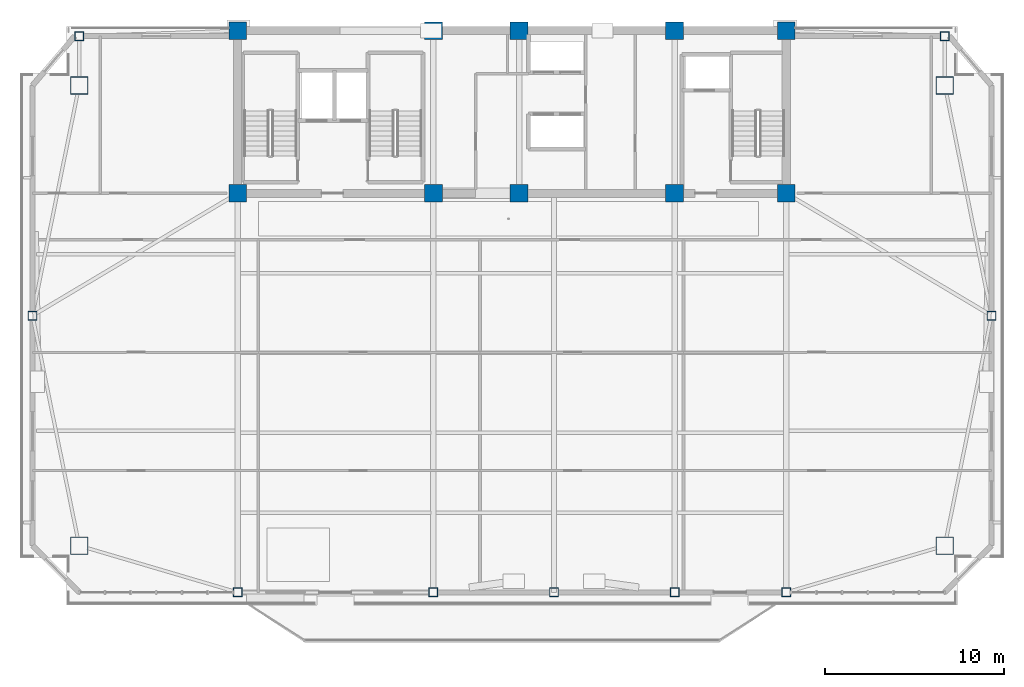
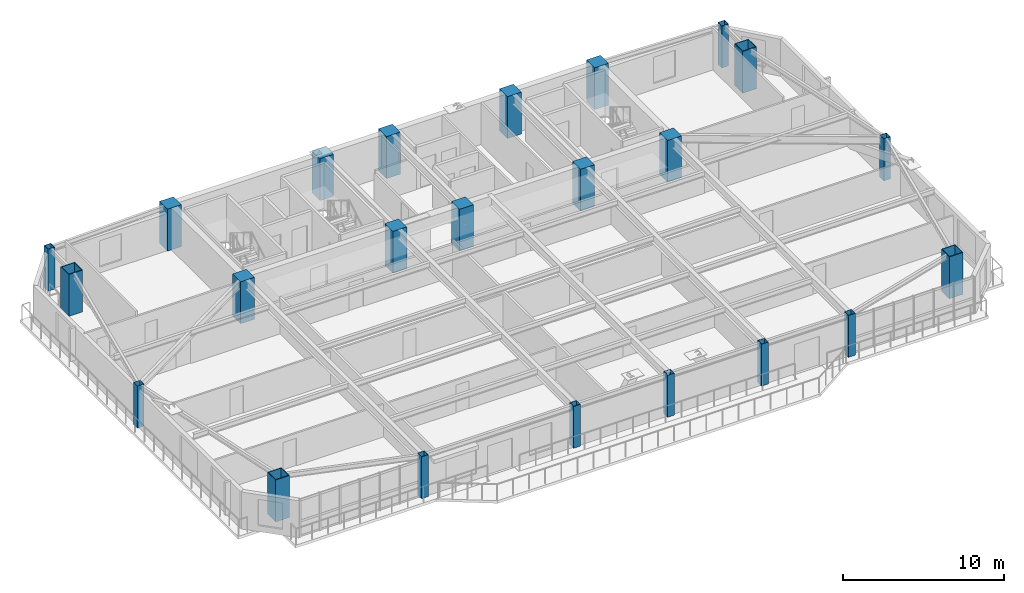
# One storey, part 1 of 17: 23 columns.
"""IFC4 building model written with IfcOpenShell, lengths in metres."""

from ifc_helpers import new_model, si_unit, direction, frame, origin, origin_2d, place, context, subcontext, project, spatial, rectangle, hollow_rectangle, extrude, source, transform, mapped, material, material_profile, profile_set, type_object, element, save


model = new_model("IFC4")

# Units and contexts
model_context = context("Model", 3, precision=1e-05, world=origin(), true_north=direction((0.0, 1.0)))
body_context = subcontext(model_context, "Body", "Model", "MODEL_VIEW")
ifc_project = project(units=[si_unit("LENGTHUNIT", "METRE"), si_unit("AREAUNIT", "SQUARE_METRE"), si_unit("VOLUMEUNIT", "CUBIC_METRE"), si_unit("PLANEANGLEUNIT", "RADIAN"), si_unit("MASSUNIT", "GRAM", prefix="KILO")], contexts=[model_context])

# Site, building, storey
site_placement = place(None, origin())
site = spatial("IfcSite", under=ifc_project, at=site_placement, CompositionType="ELEMENT")
building_placement = place(site_placement, origin())
building = spatial("IfcBuilding", under=site, at=building_placement, Name="Giltprow Tower", CompositionType="ELEMENT")
storey_placement = place(building_placement, frame((0.0, 0.0, 251.89990234375)))
storey = spatial("IfcBuildingStorey", under=building, at=storey_placement, Name="L64", CompositionType="ELEMENT", Elevation=251.89990234375)

# Columns
ifc_material_1 = material(Name="Concrete C50", Category="concrete")
ifc_material_profile_1 = material_profile(ifc_material_1, rectangle(XDim=1.0, YDim=1.0, at=origin_2d()), Name="RC 1000x1000")
ifc_profile_set_1 = profile_set([ifc_material_profile_1], Name="Concrete C50")
column_type_1 = type_object("IfcColumnType", Name="PIL-RC-1000-C50", PredefinedType="PILASTER", material=ifc_profile_set_1)
shared_shape_1 = source(origin(), body_context, "Body", "SweptSolid", [
    extrude(rectangle(XDim=1.0, YDim=1.0, at=origin_2d()), origin(), (0.0, 0.0, 1.0), 3.18505859375),
])
for number, where, z_axis, x_axis, name in (
    (1, (19.85009765625, 37.449951171875, 0.0), (0.0, 0.0, 1.0), (1.0, 0.0, 0.0), "L64 Core Boundary Pilaster 1-1"),
    (2, (19.85009765625, 46.550048828125, 0.0), (0.0, 0.0, 1.0), (1.0, 0.0, 0.0), "L64 Core Boundary Pilaster 1-2"),
    (3, (30.800048828125, 37.449951171875, 0.0), (0.0, 0.0, 1.0), (1.0, 0.0, 0.0), "L64 Core Boundary Pilaster 2-1"),
    (4, (30.800048828125, 46.550048828125, 0.0), (0.0, 0.0, 1.0), (1.0, 0.0, 0.0), "L64 Core Boundary Pilaster 2-2"),
    (5, (35.60009765625, 37.449951171875, 0.0), (0.0, 0.0, 1.0), (1.0, 0.0, 0.0), "L64 Core Boundary Pilaster 3-1"),
    (6, (35.60009765625, 46.550048828125, 0.0), (0.0, 0.0, 1.0), (1.0, 0.0, 0.0), "L64 Core Boundary Pilaster 3-2"),
    (7, (44.300048828125, 37.449951171875, 0.0), (0.0, 0.0, 1.0), (1.0, 0.0, 0.0), "L64 Core Boundary Pilaster 4-1"),
    (8, (44.300048828125, 46.550048828125, 0.0), (0.0, 0.0, 1.0), (1.0, 0.0, 0.0), "L64 Core Boundary Pilaster 4-2"),
    (9, (50.550048828125, 37.449951171875, 0.0), (0.0, 0.0, 1.0), (1.0, 0.0, 0.0), "L64 Core Boundary Pilaster 5-1"),
    (10, (50.550048828125, 46.550048828125, 0.0), (0.0, 0.0, 1.0), (1.0, 0.0, 0.0), "L64 Core Boundary Pilaster 5-2"),
):
    element("IfcColumn", number, at=place(storey_placement, frame(where, z_axis=z_axis, x_axis=x_axis)), inside=storey, type_object=column_type_1, Name=name, PredefinedType="PILASTER", context=body_context, shape_type="MappedRepresentation", body=[
        mapped(shared_shape_1, transform((0.0, 0.0, 0.0), x_axis=(1.0, 0.0, 0.0), y_axis=(0.0, 1.0, 0.0), z_axis=(0.0, 0.0, 1.0), scale=1.0)),
    ])
ifc_material_2 = material(Name="Structural steel Q420GJC", Category="steel")
ifc_material_profile_2 = material_profile(ifc_material_2, hollow_rectangle(XDim=1.0, YDim=1.0, WallThickness=0.044921875, at=origin_2d()), Name="BOX 1000x1000x45")
ifc_profile_set_2 = profile_set([ifc_material_profile_2], Name="Structural steel Q420GJC")
column_type_2 = type_object("IfcColumnType", Name="COL-BOX-1000x1000x45", PredefinedType="COLUMN", material=ifc_profile_set_2)
shared_shape_2 = source(origin(), body_context, "Body", "SweptSolid", [
    extrude(hollow_rectangle(XDim=1.0, YDim=1.0, WallThickness=0.044921875, at=origin_2d()), origin(), (0.0, 0.0, 1.0), 3.18505859375),
])
for number, where, z_axis, x_axis, name in (
    (11, (10.97900390625, 17.72802734375, 0.0), (0.0, 0.0, 1.0), (1.0, 0.0, 0.0), "L64 Mega-Column MC_SW"),
    (12, (59.422119140625, 17.72802734375, 0.0), (0.0, 0.0, 1.0), (1.0, 0.0, 0.0), "L64 Mega-Column MC_SE"),
    (13, (10.97900390625, 43.485107421875, 0.0), (0.0, 0.0, 1.0), (1.0, 0.0, 0.0), "L64 Mega-Column MC_NW"),
    (14, (59.422119140625, 43.485107421875, 0.0), (0.0, 0.0, 1.0), (1.0, 0.0, 0.0), "L64 Mega-Column MC_NE"),
):
    element("IfcColumn", number, at=place(storey_placement, frame(where, z_axis=z_axis, x_axis=x_axis)), inside=storey, type_object=column_type_2, Name=name, PredefinedType="COLUMN", context=body_context, shape_type="MappedRepresentation", body=[
        mapped(shared_shape_2, transform((0.0, 0.0, 0.0), x_axis=(1.0, 0.0, 0.0), y_axis=(0.0, 1.0, 0.0), z_axis=(0.0, 0.0, 1.0), scale=1.0)),
    ])
ifc_material_3 = material(Name="Structural steel Q355B", Category="steel")
ifc_material_profile_3 = material_profile(ifc_material_3, hollow_rectangle(XDim=0.5, YDim=0.5, WallThickness=0.02392578125, at=origin_2d()), Name="BOX 500x500x24")
ifc_profile_set_3 = profile_set([ifc_material_profile_3], Name="Structural steel Q355B")
column_type_3 = type_object("IfcColumnType", Name="COL-BOX-500x500x24", PredefinedType="COLUMN", material=ifc_profile_set_3)
shared_shape_3 = source(origin(), body_context, "Body", "SweptSolid", [
    extrude(hollow_rectangle(XDim=0.5, YDim=0.5, WallThickness=0.02392578125, at=origin_2d()), origin(), (0.0, 0.0, 1.0), 3.18505859375),
])
for number, where, z_axis, x_axis, name in (
    (15, (19.85009765625, 15.113037109375, 0.0), (0.0, 0.0, 1.0), (1.0, 0.0, 0.0), "L64 Perimeter Column S1"),
    (16, (30.800048828125, 15.113037109375, 0.0), (0.0, 0.0, 1.0), (1.0, 0.0, 0.0), "L64 Perimeter Column S2"),
    (17, (37.550048828125, 15.113037109375, 0.0), (0.0, 0.0, 1.0), (1.0, 0.0, 0.0), "L64 Perimeter Column S_MID"),
    (18, (44.300048828125, 15.113037109375, 0.0), (0.0, 0.0, 1.0), (1.0, 0.0, 0.0), "L64 Perimeter Column S3"),
    (19, (50.550048828125, 15.113037109375, 0.0), (0.0, 0.0, 1.0), (1.0, 0.0, 0.0), "L64 Perimeter Column S4"),
    (20, (8.364013671875, 30.60693359375, 0.0), (0.0, 0.0, 1.0), (1.0, 0.0, 0.0), "L64 Perimeter Column W_MID"),
    (21, (62.037109375, 30.60693359375, 0.0), (0.0, 0.0, 1.0), (1.0, 0.0, 0.0), "L64 Perimeter Column E_MID"),
    (22, (10.97900390625, 46.25, 0.0), (0.0, 0.0, 1.0), (1.0, 0.0, 0.0), "L64 Perimeter Column N_W"),
    (23, (59.422119140625, 46.25, 0.0), (0.0, 0.0, 1.0), (1.0, 0.0, 0.0), "L64 Perimeter Column N_E"),
):
    element("IfcColumn", number, at=place(storey_placement, frame(where, z_axis=z_axis, x_axis=x_axis)), inside=storey, type_object=column_type_3, Name=name, PredefinedType="COLUMN", context=body_context, shape_type="MappedRepresentation", body=[
        mapped(shared_shape_3, transform((0.0, 0.0, 0.0), x_axis=(1.0, 0.0, 0.0), y_axis=(0.0, 1.0, 0.0), z_axis=(0.0, 0.0, 1.0), scale=1.0)),
    ])

save(model, "model.ifc")
